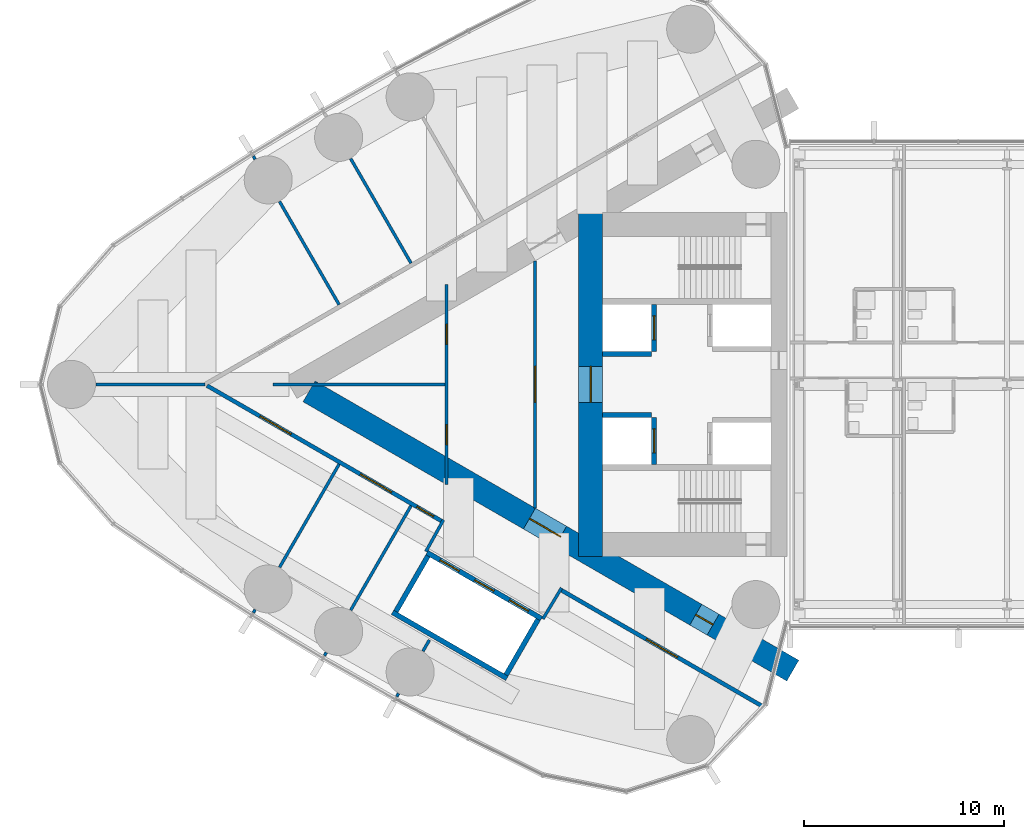
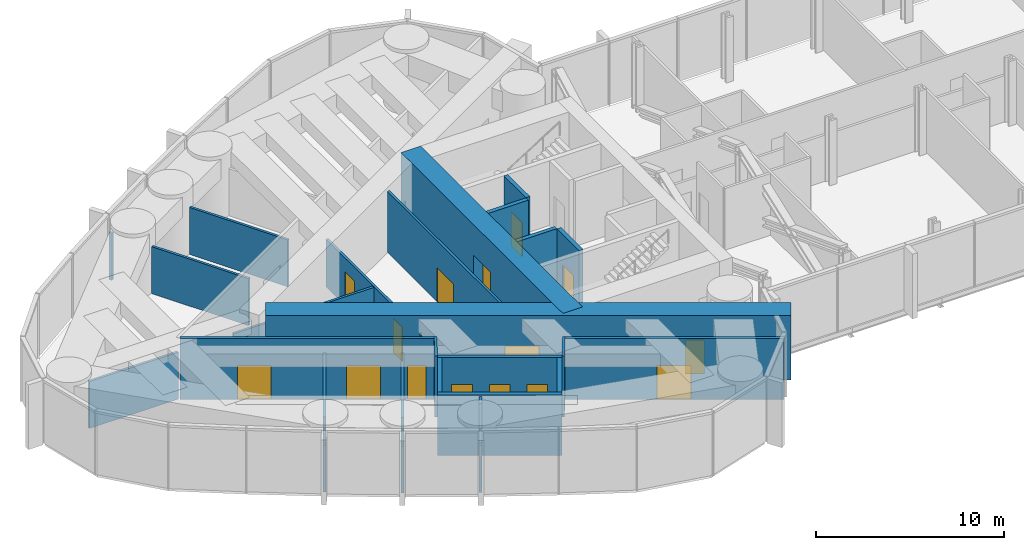
# One storey, part 15 of 23: 27 walls, 15 doors, 15 openings.
"""IFC4 building model written with IfcOpenShell, lengths in metres."""

import ifcopenshell
import ifcopenshell.guid

model = None  # the IFC model being written
_history = None  # IfcOwnerHistory: only IFC2X3 demands one
_inside = {}  # id of a spatial element -> (the spatial element, [elements in it])
_under = {}  # id of a project, library or spatial element -> (it, [spatial elements below it])
_declared = {}  # id of a project -> (the project, [libraries it declares])
_typed = {}  # id of a type object -> (the type object, [elements of that type])
_made_of = {}  # id of a material, layer set ... -> (it, [elements and type objects made of it])


def new_model(schema):
    """Start an empty IFC model of exactly this schema.

    Asked for "IFC4X3", IfcOpenShell would pick the latest addendum, in which some entities
    have other attributes; the version numbers below select the first issue.
    IFC2X3 requires an IfcOwnerHistory on every rooted entity: one is made here for all.
    """
    global model, _history
    if schema == "IFC4X3":
        model = ifcopenshell.file(schema_version=(4, 3, 0, 0))
    else:
        model = ifcopenshell.file(schema=schema)
    _inside.clear()
    _under.clear()
    _declared.clear()
    _typed.clear()
    _made_of.clear()
    _history = None
    if model.schema == "IFC2X3":
        org = make("IfcOrganization", Name="unknown")
        user = make(
            "IfcPersonAndOrganization",
            ThePerson=make("IfcPerson", FamilyName="unknown"),
            TheOrganization=org,
        )
        app = make(
            "IfcApplication",
            ApplicationDeveloper=org,
            Version="unknown",
            ApplicationFullName="unknown",
            ApplicationIdentifier="unknown",
        )
        _history = make(
            "IfcOwnerHistory",
            OwningUser=user,
            OwningApplication=app,
            ChangeAction="ADDED",
            CreationDate=0,
        )
    return model


def make(cls, **values):
    """One entity of the class cls with the attributes given. An attribute that is None is left unset."""
    return model.create_entity(
        cls, **{name: value for name, value in values.items() if value is not None}
    )


def rooted(cls, **values):
    """An entity with a GlobalId (a new one), such as an element, a storey or a relation."""
    return make(cls, GlobalId=ifcopenshell.guid.new(), OwnerHistory=_history, **values)


def si_unit(unit_type, name, prefix=None):
    """IfcSIUnit, for example si_unit("LENGTHUNIT", "METRE", prefix="MILLI")."""
    return make("IfcSIUnit", UnitType=unit_type, Prefix=prefix, Name=name)


def assignment(units):
    """IfcUnitAssignment: the units of a project."""
    return None if units is None else make("IfcUnitAssignment", Units=units)


def point(xyz):
    """IfcCartesianPoint."""
    return None if xyz is None else make("IfcCartesianPoint", Coordinates=xyz)


def direction(xyz):
    """IfcDirection."""
    return None if xyz is None else make("IfcDirection", DirectionRatios=xyz)


def frame(location, z_axis=None, x_axis=None):
    """IfcAxis2Placement3D, a coordinate frame: its origin and axes. An axis left out is left unset."""
    return make(
        "IfcAxis2Placement3D",
        Location=point(location),
        Axis=direction(z_axis),
        RefDirection=direction(x_axis),
    )


def frame_2d(location, x_axis=None):
    """IfcAxis2Placement2D, a coordinate frame in the plane: its origin and x axis."""
    return make(
        "IfcAxis2Placement2D", Location=point(location), RefDirection=direction(x_axis)
    )


def origin():
    """The frame at (0, 0, 0) with its axes left unset."""
    return frame((0.0, 0.0, 0.0))


def place(relative_to, where):
    """IfcLocalPlacement: puts the frame where relative to a parent placement (None: the world)."""
    return make(
        "IfcLocalPlacement", PlacementRelTo=relative_to, RelativePlacement=where
    )


def context(
    kind, dimensions, precision=None, world=None, true_north=None, identifier=None
):
    """IfcGeometricRepresentationContext, for example the 3D "Model" context."""
    return make(
        "IfcGeometricRepresentationContext",
        ContextIdentifier=identifier,
        ContextType=kind,
        CoordinateSpaceDimension=dimensions,
        Precision=precision,
        WorldCoordinateSystem=world,
        TrueNorth=true_north,
    )


def subcontext(parent, identifier, kind, view, scale=None):
    """IfcGeometricRepresentationSubContext, for example "Body" below "Model"."""
    return make(
        "IfcGeometricRepresentationSubContext",
        ContextIdentifier=identifier,
        ContextType=kind,
        ParentContext=parent,
        TargetScale=scale,
        TargetView=view,
    )


def project(units=None, contexts=None):
    """IfcProject with its units and contexts."""
    return rooted(
        "IfcProject",
        Name="project",
        RepresentationContexts=contexts,
        UnitsInContext=assignment(units),
    )


def spatial(cls, under=None, at=None, **own):
    """A site, building, storey or space (cls), placed at a placement, below another one or the project."""
    s = rooted(cls, ObjectPlacement=at, **own)
    if under is not None:
        _under.setdefault(under.id(), (under, []))[1].append(s)
    return s


def profile(cls, at=None, kind="AREA", **sizes):
    """A parametric profile (cls). Its sizes go by their IFC names, for example OverallWidth=200.0."""
    return make(cls, ProfileType=kind, Position=at, **sizes)


def rectangle(**sizes):
    """IfcRectangleProfileDef."""
    return profile("IfcRectangleProfileDef", **sizes)


def extrude(swept, where, along, depth):
    """IfcExtrudedAreaSolid: the profile swept, set in the frame where, extruded along a direction by depth."""
    return make(
        "IfcExtrudedAreaSolid",
        SweptArea=swept,
        Position=where,
        ExtrudedDirection=direction(along),
        Depth=depth,
    )


def shape(context_of_items, identifier, shape_type, items):
    """IfcShapeRepresentation: the items that make up one representation, for example the "Body"."""
    return make(
        "IfcShapeRepresentation",
        ContextOfItems=context_of_items,
        RepresentationIdentifier=identifier,
        RepresentationType=shape_type,
        Items=items,
    )


def material(Name=None, Category=None):
    """IfcMaterial."""
    return make("IfcMaterial", Name=Name, Category=Category)


def layer(
    of_material, thickness, ventilated=None, Name=None, Category=None, Priority=None
):
    """IfcMaterialLayer: one layer of a wall or slab, of a material (None: an air gap)."""
    return make(
        "IfcMaterialLayer",
        Material=of_material,
        LayerThickness=thickness,
        IsVentilated=ventilated,
        Name=Name,
        Category=Category,
        Priority=Priority,
    )


def layer_set(layers, Name=None):
    """IfcMaterialLayerSet."""
    return make("IfcMaterialLayerSet", MaterialLayers=layers, LayerSetName=Name)


def made_of(thing, what):
    """Note that an element or type object is made of a material, layer set ...; save() writes the relation."""
    if what is not None:
        _made_of.setdefault(what.id(), (what, []))[1].append(thing)
    return thing


def type_object(cls, material=None, **own):
    """A type object (cls), such as IfcWallType, which elements share."""
    return made_of(rooted(cls, **own), material)


def element(
    cls,
    number,
    at=None,
    inside=None,
    cuts=None,
    type_object=None,
    material=None,
    context=None,
    identifier="Body",
    shape_type=None,
    held_by="IfcProductDefinitionShape",
    body=None,
    shapes=None,
    **own,
):
    """One element of the class cls, such as IfcWall. Its Tag is "e" and its number.

    at: its placement. inside: the storey or other place that contains it. cuts: it is an
    opening in that element (IfcRelVoidsElement). A single representation is given by context,
    identifier, shape_type and body (its items); several are given by shapes. held_by: the class
    of the entity that holds the representations. save() writes the other relations.
    """
    e = rooted(cls, Tag="e%d" % number, ObjectPlacement=at, **own)
    if body is not None:
        shapes = [shape(context, identifier, shape_type, body)]
    if shapes is not None:
        e.Representation = make(held_by, Representations=shapes)
    if inside is not None:
        _inside.setdefault(inside.id(), (inside, []))[1].append(e)
    if cuts is not None:
        rooted(
            "IfcRelVoidsElement", RelatingBuildingElement=cuts, RelatedOpeningElement=e
        )
    if type_object is not None:
        _typed.setdefault(type_object.id(), (type_object, []))[1].append(e)
    return made_of(e, material)


def fill(opening, filler):
    """IfcRelFillsElement: the door or window that sits in an opening."""
    return rooted(
        "IfcRelFillsElement",
        RelatingOpeningElement=opening,
        RelatedBuildingElement=filler,
    )


def aggregate(whole, parts):
    """IfcRelAggregates: a whole, such as a stair, and the parts it consists of."""
    return rooted("IfcRelAggregates", RelatingObject=whole, RelatedObjects=parts)


def save(model, path):
    """Write the relations noted so far, then the file.

    IfcRelAggregates (storeys below a building ...), IfcRelContainedInSpatialStructure (elements
    in a storey), IfcRelDefinesByType, IfcRelAssociatesMaterial and IfcRelDeclares: one each for
    every whole, place, type object, material and project.
    """
    for whole, parts in _under.values():
        aggregate(whole, parts)
    for where, things in _inside.values():
        rooted(
            "IfcRelContainedInSpatialStructure",
            RelatedElements=things,
            RelatingStructure=where,
        )
    for kind, things in _typed.values():
        rooted("IfcRelDefinesByType", RelatedObjects=things, RelatingType=kind)
    for what, things in _made_of.values():
        rooted("IfcRelAssociatesMaterial", RelatedObjects=things, RelatingMaterial=what)
    for by, libraries in _declared.values():
        rooted("IfcRelDeclares", RelatingContext=by, RelatedDefinitions=libraries)
    model.write(path)


model = new_model("IFC4")

# Units and contexts
model_context = context("Model", 3, precision=1e-05, world=origin(), true_north=direction((0.0, 1.0)))
body_context = subcontext(model_context, "Body", "Model", "MODEL_VIEW")
ifc_project = project(units=[si_unit("LENGTHUNIT", "METRE"), si_unit("AREAUNIT", "SQUARE_METRE"), si_unit("VOLUMEUNIT", "CUBIC_METRE"), si_unit("PLANEANGLEUNIT", "RADIAN"), si_unit("MASSUNIT", "GRAM", prefix="KILO")], contexts=[model_context])

# Site, building, storey
site_placement = place(None, origin())
site = spatial("IfcSite", under=ifc_project, at=site_placement, CompositionType="ELEMENT")
building_placement = place(site_placement, origin())
building = spatial("IfcBuilding", under=site, at=building_placement, Name="Lancet Gate Hotel", CompositionType="ELEMENT")
storey_placement = place(building_placement, frame((0.0, 0.0, 247.699951171875)))
storey = spatial("IfcBuildingStorey", under=building, at=storey_placement, Name="L66", CompositionType="ELEMENT", Elevation=247.699951171875)

# Wall, openings, doors
ifc_material_1 = material(Name="Concrete C70/85", Category="concrete")
ifc_layer_1 = layer(ifc_material_1, 1.199951171875)
ifc_layer_set_1 = layer_set([ifc_layer_1], Name="Buttress wall 1200")
wall_type_1 = type_object("IfcWallType", Name="Buttress wall 1200", PredefinedType="SHEAR", material=ifc_layer_set_1)
wall_1_placement = place(storey_placement, frame((-27.199951171875, -14.300048828125, 0.0), z_axis=(0.0, 0.0, 1.0), x_axis=(-0.866024021859, 0.500002393557, 0.0)))
wall_1 = element("IfcWall", 1, at=wall_1_placement, inside=storey, type_object=wall_type_1, Name="T1 buttress wall N L66", PredefinedType="SHEAR", context=body_context, shape_type="SweptSolid", body=[
    extrude(rectangle(XDim=27.906982421875, YDim=1.199951171875, at=frame_2d((13.95361328125, 0.0))), origin(), (0.0, 0.0, 1.0), 4.199951171875),
])
opening_1_placement = place(wall_1_placement, frame((4.60009765625, 0.0, 0.0)))
opening_1 = element("IfcOpeningElement", 2, at=opening_1_placement, cuts=wall_1, Name="Opening T1-L66-LN", PredefinedType="OPENING", context=body_context, shape_type="SweptSolid", body=[
    extrude(rectangle(XDim=1.0, YDim=2.199951171875, at=frame_2d((0.5, 1.10009765625))), frame((0.0, 0.60986328125, 0.0), z_axis=(0.0, -1.0, 0.0), x_axis=(1.0, 0.0, 0.0)), (0.0, 0.0, 1.0), 1.219970703125),
])
opening_2_placement = place(wall_1_placement, frame((13.39453125, 0.0, 0.0)))
opening_2 = element("IfcOpeningElement", 3, at=opening_2_placement, cuts=wall_1, Name="Opening T1-L66-LHN", PredefinedType="OPENING", context=body_context, shape_type="SweptSolid", body=[
    extrude(rectangle(XDim=1.800048828125, YDim=2.199951171875, at=frame_2d((0.89990234375, 1.10009765625))), frame((0.0, 0.60986328125, 0.0), z_axis=(0.0, -1.0, 0.0), x_axis=(1.0, 0.0, 0.0)), (0.0, 0.0, 1.0), 1.219970703125),
])
ifc_material_2 = material(Name="Timber door set", Category="wood")
door_type_1 = type_object("IfcDoorType", Name="Lobby double door 1800", OperationType="DOUBLE_DOOR_SINGLE_SWING", PredefinedType="DOOR", material=ifc_material_2)
door_1_placement = place(opening_2_placement, origin())
door_1 = element("IfcDoor", 4, at=door_1_placement, inside=storey, type_object=door_type_1, Name="T1-L66-LHN", OperationType="DOUBLE_DOOR_SINGLE_SWING", OverallHeight=2.199951171875, OverallWidth=1.800048828125, PredefinedType="DOOR", context=body_context, shape_type="SweptSolid", body=[
    extrude(rectangle(XDim=1.800048828125, YDim=2.199951171875, at=frame_2d((0.89990234375, 1.10009765625))), frame((0.0, 0.02490234375, 0.0), z_axis=(0.0, -1.0, 0.0), x_axis=(1.0, 0.0, 0.0)), (0.0, 0.0, 1.0), 0.050048828125),
])
fill(opening_2, door_1)
ifc_material_3 = material(Name="Timber door set", Category="wood")
door_type_2 = type_object("IfcDoorType", Name="Stair lobby door 1000", OperationType="SINGLE_SWING_LEFT", PredefinedType="DOOR", material=ifc_material_3)
door_2_placement = place(opening_1_placement, origin())
door_2 = element("IfcDoor", 5, at=door_2_placement, inside=storey, type_object=door_type_2, Name="T1-L66-LN", OperationType="SINGLE_SWING_LEFT", OverallHeight=2.199951171875, OverallWidth=1.0, PredefinedType="DOOR", context=body_context, shape_type="SweptSolid", body=[
    extrude(rectangle(XDim=1.0, YDim=2.199951171875, at=frame_2d((0.5, 1.10009765625))), frame((0.0, 0.02490234375, 0.0), z_axis=(0.0, -1.0, 0.0), x_axis=(1.0, 0.0, 0.0)), (0.0, 0.0, 1.0), 0.050048828125),
])
fill(opening_1, door_2)

# Wall, opening, door
ifc_material_4 = material(Name="Concrete C70/85", Category="concrete")
ifc_layer_2 = layer(ifc_material_4, 1.199951171875)
ifc_layer_set_2 = layer_set([ifc_layer_2], Name="Core wall 1200")
wall_type_2 = type_object("IfcWallType", Name="Core wall 1200", PredefinedType="SHEAR", material=ifc_layer_set_2)
wall_2_placement = place(storey_placement, frame((-37.300048828125, 8.60009765625, 0.0), z_axis=(0.0, 0.0, 1.0), x_axis=(0.0, -1.0, 0.0)))
wall_2 = element("IfcWall", 6, at=wall_2_placement, inside=storey, type_object=wall_type_2, Name="T1 core wall back L66", PredefinedType="SHEAR", context=body_context, shape_type="SweptSolid", body=[
    extrude(rectangle(XDim=17.2001953125, YDim=1.199951171875, at=frame_2d((8.60009765625, 0.0))), origin(), (0.0, 0.0, 1.0), 4.199951171875),
])
opening_3_placement = place(wall_2_placement, frame((7.699951171875, 0.0, 0.0)))
opening_3 = element("IfcOpeningElement", 7, at=opening_3_placement, cuts=wall_2, Name="Opening T1-L66-LL", PredefinedType="OPENING", context=body_context, shape_type="SweptSolid", body=[
    extrude(rectangle(XDim=1.800048828125, YDim=2.199951171875, at=frame_2d((0.89990234375, 1.10009765625))), frame((0.0, 0.60986328125, 0.0), z_axis=(0.0, -1.0, 0.0), x_axis=(1.0, 0.0, 0.0)), (0.0, 0.0, 1.0), 1.219970703125),
])
door_3_placement = place(opening_3_placement, origin())
door_3 = element("IfcDoor", 8, at=door_3_placement, inside=storey, type_object=door_type_1, Name="T1-L66-LL", OperationType="DOUBLE_DOOR_SINGLE_SWING", OverallHeight=2.199951171875, OverallWidth=1.800048828125, PredefinedType="DOOR", context=body_context, shape_type="SweptSolid", body=[
    extrude(rectangle(XDim=1.800048828125, YDim=2.199951171875, at=frame_2d((0.89990234375, 1.10009765625))), frame((0.0, 0.02490234375, 0.0), z_axis=(0.0, -1.0, 0.0), x_axis=(1.0, 0.0, 0.0)), (0.0, 0.0, 1.0), 0.050048828125),
])
fill(opening_3, door_3)

ifc_material_5 = material(Name="Gypsum board partition")
ifc_layer_3 = layer(ifc_material_5, 0.199951171875)
ifc_layer_set_3 = layer_set([ifc_layer_3], Name="Corridor wall 200")
wall_type_3 = type_object("IfcWallType", Name="Corridor wall 200", PredefinedType="PARTITIONING", material=ifc_layer_set_3)
wall_3_placement = place(storey_placement, frame((-28.681396484375, -16.1005859375, 0.0), z_axis=(0.0, 0.0, 1.0), x_axis=(-0.866026079773, 0.499998829152, 0.0)))
wall_3 = element("IfcWall", 9, at=wall_3_placement, inside=storey, type_object=wall_type_3, Name="T1 corridor wall 200 L66", PredefinedType="PARTITIONING", context=body_context, shape_type="SweptSolid", body=[
    extrude(rectangle(XDim=11.673828125, YDim=0.199951171875, at=frame_2d((5.8369140625, 0.0))), origin(), (0.0, 0.0, 1.0), 3.949951171875),
])
opening_4_placement = place(wall_3_placement, frame((4.93701171875, 0.0, 0.0)))
opening_4 = element("IfcOpeningElement", 10, at=opening_4_placement, cuts=wall_3, Name="Opening T1-L66-DK08", PredefinedType="OPENING", context=body_context, shape_type="SweptSolid", body=[
    extrude(rectangle(XDim=1.800048828125, YDim=2.199951171875, at=frame_2d((0.89990234375, 1.10009765625))), frame((0.0, 0.10986328125, 0.0), z_axis=(0.0, -1.0, 0.0), x_axis=(1.0, 0.0, 0.0)), (0.0, 0.0, 1.0), 0.219970703125),
])
ifc_material_6 = material(Name="Timber door set", Category="wood")
door_type_3 = type_object("IfcDoorType", Name="Double door 1800", OperationType="DOUBLE_DOOR_SINGLE_SWING", PredefinedType="DOOR", material=ifc_material_6)
door_4_placement = place(opening_4_placement, origin())
door_4 = element("IfcDoor", 11, at=door_4_placement, inside=storey, type_object=door_type_3, Name="T1-L66-DK08", OperationType="DOUBLE_DOOR_SINGLE_SWING", OverallHeight=2.199951171875, OverallWidth=1.800048828125, PredefinedType="DOOR", context=body_context, shape_type="SweptSolid", body=[
    extrude(rectangle(XDim=1.800048828125, YDim=2.199951171875, at=frame_2d((0.89990234375, 1.10009765625))), frame((0.0, 0.02490234375, 0.0), z_axis=(0.0, -1.0, 0.0), x_axis=(1.0, 0.0, 0.0)), (0.0, 0.0, 1.0), 0.050048828125),
])
fill(opening_4, door_4)

# Wall, openings, doors
wall_4_placement = place(storey_placement, frame((-44.715087890625, -6.843505859375, 0.0), z_axis=(0.0, 0.0, 1.0), x_axis=(-0.866025261224, 0.500000246922, 0.0)))
wall_4 = element("IfcWall", 12, at=wall_4_placement, inside=storey, type_object=wall_type_3, Name="T1 corridor wall 200 L66", PredefinedType="PARTITIONING", context=body_context, shape_type="SweptSolid", body=[
    extrude(rectangle(XDim=13.56689453125, YDim=0.199951171875, at=frame_2d((6.783447265625, 0.0))), origin(), (0.0, 0.0, 1.0), 3.949951171875),
])
opening_5_placement = place(wall_4_placement, frame((8.71630859375, 0.0, 0.0)))
opening_5 = element("IfcOpeningElement", 13, at=opening_5_placement, cuts=wall_4, Name="Opening T1-L66-DK05", PredefinedType="OPENING", context=body_context, shape_type="SweptSolid", body=[
    extrude(rectangle(XDim=1.800048828125, YDim=2.199951171875, at=frame_2d((0.89990234375, 1.10009765625))), frame((0.0, 0.10986328125, 0.0), z_axis=(0.0, -1.0, 0.0), x_axis=(1.0, 0.0, 0.0)), (0.0, 0.0, 1.0), 0.219970703125),
])
opening_6_placement = place(wall_4_placement, frame((2.916259765625, 0.0, 0.0)))
opening_6 = element("IfcOpeningElement", 14, at=opening_6_placement, cuts=wall_4, Name="Opening T1-L66-DK06", PredefinedType="OPENING", context=body_context, shape_type="SweptSolid", body=[
    extrude(rectangle(XDim=1.800048828125, YDim=2.199951171875, at=frame_2d((0.89990234375, 1.10009765625))), frame((0.0, 0.10986328125, 0.0), z_axis=(0.0, -1.0, 0.0), x_axis=(1.0, 0.0, 0.0)), (0.0, 0.0, 1.0), 0.219970703125),
])
opening_7_placement = place(wall_4_placement, frame((0.5, 0.0, 0.0)))
opening_7 = element("IfcOpeningElement", 15, at=opening_7_placement, cuts=wall_4, Name="Opening T1-L66-DK07", PredefinedType="OPENING", context=body_context, shape_type="SweptSolid", body=[
    extrude(rectangle(XDim=0.967041015625, YDim=2.199951171875, at=frame_2d((0.4833984375, 1.10009765625))), frame((0.0, 0.10986328125, 0.0), z_axis=(0.0, -1.0, 0.0), x_axis=(1.0, 0.0, 0.0)), (0.0, 0.0, 1.0), 0.219970703125),
])
door_5_placement = place(opening_5_placement, origin())
door_5 = element("IfcDoor", 16, at=door_5_placement, inside=storey, type_object=door_type_3, Name="T1-L66-DK05", OperationType="DOUBLE_DOOR_SINGLE_SWING", OverallHeight=2.199951171875, OverallWidth=1.800048828125, PredefinedType="DOOR", context=body_context, shape_type="SweptSolid", body=[
    extrude(rectangle(XDim=1.800048828125, YDim=2.199951171875, at=frame_2d((0.89990234375, 1.10009765625))), frame((0.0, 0.02490234375, 0.0), z_axis=(0.0, -1.0, 0.0), x_axis=(1.0, 0.0, 0.0)), (0.0, 0.0, 1.0), 0.050048828125),
])
fill(opening_5, door_5)
door_6_placement = place(opening_6_placement, origin())
door_6 = element("IfcDoor", 17, at=door_6_placement, inside=storey, type_object=door_type_3, Name="T1-L66-DK06", OperationType="DOUBLE_DOOR_SINGLE_SWING", OverallHeight=2.199951171875, OverallWidth=1.800048828125, PredefinedType="DOOR", context=body_context, shape_type="SweptSolid", body=[
    extrude(rectangle(XDim=1.800048828125, YDim=2.199951171875, at=frame_2d((0.89990234375, 1.10009765625))), frame((0.0, 0.02490234375, 0.0), z_axis=(0.0, -1.0, 0.0), x_axis=(1.0, 0.0, 0.0)), (0.0, 0.0, 1.0), 0.050048828125),
])
fill(opening_6, door_6)
ifc_material_7 = material(Name="Timber door set", Category="wood")
door_type_4 = type_object("IfcDoorType", Name="Guest room entry door 950", OperationType="SINGLE_SWING_LEFT", PredefinedType="DOOR", material=ifc_material_7)
door_7_placement = place(opening_7_placement, origin())
door_7 = element("IfcDoor", 18, at=door_7_placement, inside=storey, type_object=door_type_4, Name="T1-L66-DK07", OperationType="SINGLE_SWING_LEFT", OverallHeight=2.199951171875, OverallWidth=0.967041015625, PredefinedType="DOOR", context=body_context, shape_type="SweptSolid", body=[
    extrude(rectangle(XDim=0.967041015625, YDim=2.199951171875, at=frame_2d((0.4833984375, 1.10009765625))), frame((0.0, 0.02490234375, 0.0), z_axis=(0.0, -1.0, 0.0), x_axis=(1.0, 0.0, 0.0)), (0.0, 0.0, 1.0), 0.050048828125),
])
fill(opening_7, door_7)

ifc_material_8 = material(Name="Gypsum board partition")
ifc_layer_4 = layer(ifc_material_8, 0.25)
ifc_layer_set_4 = layer_set([ifc_layer_4], Name="Lift shaft partition 250")
wall_type_4 = type_object("IfcWallType", Name="Lift shaft partition 250", PredefinedType="PARTITIONING", material=ifc_layer_set_4)
wall_5_placement = place(storey_placement, frame((-39.757568359375, -11.697265625, 0.0), z_axis=(0.0, 0.0, 1.0), x_axis=(-0.866024194504, 0.500002094529, 0.0)))
wall_5 = element("IfcWall", 19, at=wall_5_placement, inside=storey, type_object=wall_type_4, Name="T1 lift shaft wall HL L66", PredefinedType="PARTITIONING", context=body_context, shape_type="SweptSolid", body=[
    extrude(rectangle(XDim=6.60009765625, YDim=0.25, at=frame_2d((3.300048828125, 0.0))), origin(), (0.0, 0.0, 1.0), 3.949951171875),
])
opening_8_placement = place(wall_5_placement, frame((0.75, 0.0, 0.0)))
opening_8 = element("IfcOpeningElement", 20, at=opening_8_placement, cuts=wall_5, Name="Opening T1-HL1-L66", PredefinedType="OPENING", context=body_context, shape_type="SweptSolid", body=[
    extrude(rectangle(XDim=1.10009765625, YDim=2.199951171875, at=frame_2d((0.550048828125, 1.10009765625))), frame((0.0, 0.135009765625, 0.0), z_axis=(0.0, -1.0, 0.0), x_axis=(1.0, 0.0, 0.0)), (0.0, 0.0, 1.0), 0.27001953125),
])
opening_9_placement = place(wall_5_placement, frame((2.75, 0.0, 0.0)))
opening_9 = element("IfcOpeningElement", 21, at=opening_9_placement, cuts=wall_5, Name="Opening T1-HL2-L66", PredefinedType="OPENING", context=body_context, shape_type="SweptSolid", body=[
    extrude(rectangle(XDim=1.10009765625, YDim=2.199951171875, at=frame_2d((0.550048828125, 1.10009765625))), frame((0.0, 0.135009765625, 0.0), z_axis=(0.0, -1.0, 0.0), x_axis=(1.0, 0.0, 0.0)), (0.0, 0.0, 1.0), 0.27001953125),
])
opening_10_placement = place(wall_5_placement, frame((4.75, 0.0, 0.0)))
opening_10 = element("IfcOpeningElement", 22, at=opening_10_placement, cuts=wall_5, Name="Opening T1-HL3-L66", PredefinedType="OPENING", context=body_context, shape_type="SweptSolid", body=[
    extrude(rectangle(XDim=1.10009765625, YDim=2.199951171875, at=frame_2d((0.550048828125, 1.10009765625))), frame((0.0, 0.135009765625, 0.0), z_axis=(0.0, -1.0, 0.0), x_axis=(1.0, 0.0, 0.0)), (0.0, 0.0, 1.0), 0.27001953125),
])
ifc_material_9 = material(Name="Steel door set", Category="steel")
door_type_5 = type_object("IfcDoorType", Name="Lift landing door 1100", OperationType="DOUBLE_DOOR_SLIDING", PredefinedType="USERDEFINED", material=ifc_material_9)
door_8_placement = place(opening_8_placement, origin())
door_8 = element("IfcDoor", 23, at=door_8_placement, inside=storey, type_object=door_type_5, Name="T1-HL1-L66", ObjectType="LIFT LANDING DOOR", OperationType="DOUBLE_DOOR_SLIDING", OverallHeight=2.199951171875, OverallWidth=1.10009765625, PredefinedType="USERDEFINED", context=body_context, shape_type="SweptSolid", body=[
    extrude(rectangle(XDim=1.10009765625, YDim=2.199951171875, at=frame_2d((0.550048828125, 1.10009765625))), frame((0.0, 0.02490234375, 0.0), z_axis=(0.0, -1.0, 0.0), x_axis=(1.0, 0.0, 0.0)), (0.0, 0.0, 1.0), 0.050048828125),
])
fill(opening_8, door_8)
door_9_placement = place(opening_9_placement, origin())
door_9 = element("IfcDoor", 24, at=door_9_placement, inside=storey, type_object=door_type_5, Name="T1-HL2-L66", ObjectType="LIFT LANDING DOOR", OperationType="DOUBLE_DOOR_SLIDING", OverallHeight=2.199951171875, OverallWidth=1.10009765625, PredefinedType="USERDEFINED", context=body_context, shape_type="SweptSolid", body=[
    extrude(rectangle(XDim=1.10009765625, YDim=2.199951171875, at=frame_2d((0.550048828125, 1.10009765625))), frame((0.0, 0.02490234375, 0.0), z_axis=(0.0, -1.0, 0.0), x_axis=(1.0, 0.0, 0.0)), (0.0, 0.0, 1.0), 0.050048828125),
])
fill(opening_9, door_9)
door_10_placement = place(opening_10_placement, origin())
door_10 = element("IfcDoor", 25, at=door_10_placement, inside=storey, type_object=door_type_5, Name="T1-HL3-L66", ObjectType="LIFT LANDING DOOR", OperationType="DOUBLE_DOOR_SLIDING", OverallHeight=2.199951171875, OverallWidth=1.10009765625, PredefinedType="USERDEFINED", context=body_context, shape_type="SweptSolid", body=[
    extrude(rectangle(XDim=1.10009765625, YDim=2.199951171875, at=frame_2d((0.550048828125, 1.10009765625))), frame((0.0, 0.02490234375, 0.0), z_axis=(0.0, -1.0, 0.0), x_axis=(1.0, 0.0, 0.0)), (0.0, 0.0, 1.0), 0.050048828125),
])
fill(opening_10, door_10)

# Walls
wall_6_placement = place(storey_placement, frame((-41.482421875, -14.685791015625, 0.0), z_axis=(0.0, 0.0, 1.0), x_axis=(-0.86603344179, 0.499986077507, 0.0)))
element("IfcWall", 26, at=wall_6_placement, inside=storey, type_object=wall_type_4, Name="T1 lift shaft wall HL L66", PredefinedType="PARTITIONING", context=body_context, shape_type="SweptSolid", body=[
    extrude(rectangle(XDim=6.600341796875, YDim=0.25, at=frame_2d((3.30029296875, 0.0))), origin(), (0.0, 0.0, 1.0), 3.949951171875),
])
for number, where, z_axis, x_axis, name in (
    (27, (-39.92822265625, -11.742919921875, 0.0), (0.0, 0.0, 1.0), (-0.499929347863, -0.866066190972, 0.0), "T1 lift shaft wall HL L66"),
    (28, (-45.427734375, -8.568115234375, 0.0), (0.0, 0.0, 1.0), (-0.499929347863, -0.866066190972, 0.0), "T1 lift shaft wall HL L66"),
):
    element("IfcWall", number, at=place(storey_placement, frame(where, z_axis=z_axis, x_axis=x_axis)), inside=storey, type_object=wall_type_4, Name=name, PredefinedType="PARTITIONING", context=body_context, shape_type="SweptSolid", body=[
        extrude(rectangle(XDim=3.20068359375, YDim=0.25, at=frame_2d((1.600341796875, 0.0))), origin(), (0.0, 0.0, 1.0), 3.949951171875),
    ])

# Wall, opening, door
ifc_material_10 = material(Name="Concrete C50/60", Category="concrete")
ifc_layer_5 = layer(ifc_material_10, 0.25)
ifc_layer_set_5 = layer_set([ifc_layer_5], Name="Lift shaft wall 250")
wall_type_5 = type_object("IfcWallType", Name="Lift shaft wall 250", PredefinedType="SHEAR", material=ifc_layer_set_5)
wall_7_placement = place(storey_placement, frame((-34.125, 4.0, 0.0), z_axis=(0.0, 0.0, 1.0), x_axis=(0.0, -1.0, 0.0)))
wall_7 = element("IfcWall", 29, at=wall_7_placement, inside=storey, type_object=wall_type_5, Name="T1 core wall row2-S L66", PredefinedType="SHEAR", context=body_context, shape_type="SweptSolid", body=[
    extrude(rectangle(XDim=2.35009765625, YDim=0.25, at=frame_2d((1.175048828125, 0.0))), origin(), (0.0, 0.0, 1.0), 4.199951171875),
])
opening_11_placement = place(wall_7_placement, frame((0.574951171875, 0.0, 0.0)))
opening_11 = element("IfcOpeningElement", 30, at=opening_11_placement, cuts=wall_7, Name="Opening T1-OL3-L66", PredefinedType="OPENING", context=body_context, shape_type="SweptSolid", body=[
    extrude(rectangle(XDim=1.199951171875, YDim=2.199951171875, at=frame_2d((0.60009765625, 1.10009765625))), frame((0.0, 0.135009765625, 0.0), z_axis=(0.0, -1.0, 0.0), x_axis=(1.0, 0.0, 0.0)), (0.0, 0.0, 1.0), 0.27001953125),
])
ifc_material_11 = material(Name="Timber door set", Category="wood")
door_type_6 = type_object("IfcDoorType", Name="Shuttle lift landing door 1200", OperationType="DOUBLE_DOOR_SLIDING", PredefinedType="USERDEFINED", material=ifc_material_11)
door_11_placement = place(opening_11_placement, origin())
door_11 = element("IfcDoor", 31, at=door_11_placement, inside=storey, type_object=door_type_6, Name="T1-OL3-L66", ObjectType="LIFT LANDING DOOR", OperationType="DOUBLE_DOOR_SLIDING", OverallHeight=2.199951171875, OverallWidth=1.199951171875, PredefinedType="USERDEFINED", context=body_context, shape_type="SweptSolid", body=[
    extrude(rectangle(XDim=1.199951171875, YDim=2.199951171875, at=frame_2d((0.60009765625, 1.10009765625))), frame((0.0, 0.02490234375, 0.0), z_axis=(0.0, -1.0, 0.0), x_axis=(1.0, 0.0, 0.0)), (0.0, 0.0, 1.0), 0.050048828125),
])
fill(opening_11, door_11)

# Wall
wall_8_placement = place(storey_placement, frame((-34.25, 1.52490234375, 0.0), z_axis=(0.0, 0.0, 1.0), x_axis=(-1.0, 0.0, 0.0)))
element("IfcWall", 32, at=wall_8_placement, inside=storey, type_object=wall_type_5, Name="T1 core wall pass2-S L66", PredefinedType="SHEAR", context=body_context, shape_type="SweptSolid", body=[
    extrude(rectangle(XDim=2.449951171875, YDim=0.25, at=frame_2d((1.22509765625, 0.0))), origin(), (0.0, 0.0, 1.0), 4.199951171875),
])

# Wall, opening, door
wall_9_placement = place(storey_placement, frame((-34.125, -1.64990234375, 0.0), z_axis=(0.0, 0.0, 1.0), x_axis=(0.0, -1.0, 0.0)))
wall_9 = element("IfcWall", 33, at=wall_9_placement, inside=storey, type_object=wall_type_5, Name="T1 core wall row2-N L66", PredefinedType="SHEAR", context=body_context, shape_type="SweptSolid", body=[
    extrude(rectangle(XDim=2.35009765625, YDim=0.25, at=frame_2d((1.175048828125, 0.0))), origin(), (0.0, 0.0, 1.0), 4.199951171875),
])
opening_12_placement = place(wall_9_placement, frame((0.574951171875, 0.0, 0.0)))
opening_12 = element("IfcOpeningElement", 34, at=opening_12_placement, cuts=wall_9, Name="Opening T1-OL4-L66", PredefinedType="OPENING", context=body_context, shape_type="SweptSolid", body=[
    extrude(rectangle(XDim=1.199951171875, YDim=2.199951171875, at=frame_2d((0.60009765625, 1.10009765625))), frame((0.0, 0.135009765625, 0.0), z_axis=(0.0, -1.0, 0.0), x_axis=(1.0, 0.0, 0.0)), (0.0, 0.0, 1.0), 0.27001953125),
])
door_12_placement = place(opening_12_placement, origin())
door_12 = element("IfcDoor", 35, at=door_12_placement, inside=storey, type_object=door_type_6, Name="T1-OL4-L66", ObjectType="LIFT LANDING DOOR", OperationType="DOUBLE_DOOR_SLIDING", OverallHeight=2.199951171875, OverallWidth=1.199951171875, PredefinedType="USERDEFINED", context=body_context, shape_type="SweptSolid", body=[
    extrude(rectangle(XDim=1.199951171875, YDim=2.199951171875, at=frame_2d((0.60009765625, 1.10009765625))), frame((0.0, 0.02490234375, 0.0), z_axis=(0.0, -1.0, 0.0), x_axis=(1.0, 0.0, 0.0)), (0.0, 0.0, 1.0), 0.050048828125),
])
fill(opening_12, door_12)

# Walls
wall_10_placement = place(storey_placement, frame((-34.25, -1.52490234375, 0.0), z_axis=(0.0, 0.0, 1.0), x_axis=(-1.0, 0.0, 0.0)))
element("IfcWall", 36, at=wall_10_placement, inside=storey, type_object=wall_type_5, Name="T1 core wall pass2-N L66", PredefinedType="SHEAR", context=body_context, shape_type="SweptSolid", body=[
    extrude(rectangle(XDim=2.449951171875, YDim=0.25, at=frame_2d((1.22509765625, 0.0))), origin(), (0.0, 0.0, 1.0), 4.199951171875),
])
ifc_material_12 = material(Name="Gypsum board partition")
ifc_layer_6 = layer(ifc_material_12, 0.14990234375)
ifc_layer_set_6 = layer_set([ifc_layer_6], Name="Party wall 150")
wall_type_6 = type_object("IfcWallType", Name="Party wall 150", PredefinedType="PARTITIONING", material=ifc_layer_set_6)
wall_11_placement = place(storey_placement, frame((-46.273681640625, 6.05908203125, 0.0), z_axis=(0.0, 0.0, 1.0), x_axis=(-0.500020471368, 0.866013584312, 0.0)))
element("IfcWall", 37, at=wall_11_placement, inside=storey, type_object=wall_type_6, Name="T1 party wall 150 L66", PredefinedType="PARTITIONING", context=body_context, shape_type="SweptSolid", body=[
    extrude(rectangle(XDim=6.027587890625, YDim=0.14990234375, at=frame_2d((3.013671875, 0.0))), origin(), (0.0, 0.0, 1.0), 3.050048828125),
])
wall_12_placement = place(storey_placement, frame((-49.866455078125, 3.98486328125, 0.0), z_axis=(0.0, 0.0, 1.0), x_axis=(-0.500000694566, 0.866025002776, 0.0)))
element("IfcWall", 38, at=wall_12_placement, inside=storey, type_object=wall_type_6, Name="T1 party wall 150 L66", PredefinedType="PARTITIONING", context=body_context, shape_type="SweptSolid", body=[
    extrude(rectangle(XDim=5.94970703125, YDim=0.14990234375, at=frame_2d((2.974853515625, 0.0))), origin(), (0.0, 0.0, 1.0), 3.050048828125),
])
wall_13_placement = place(storey_placement, frame((-54.061279296875, 11.25048828125, 0.0), z_axis=(0.0, 0.0, 1.0), x_axis=(-0.500391173478, 0.865799441849, 0.0)))
element("IfcWall", 39, at=wall_13_placement, inside=storey, type_object=wall_type_6, Name="T1 party wall 150 L66", PredefinedType="PARTITIONING", context=body_context, shape_type="SweptSolid", body=[
    extrude(rectangle(XDim=0.178955078125, YDim=0.14990234375, at=frame_2d((0.08935546875, 0.0))), origin(), (0.0, 0.0, 1.0), 3.050048828125),
])
wall_14_placement = place(storey_placement, frame((-46.89794921875, -15.438720703125, 0.0), z_axis=(0.0, 0.0, 1.0), x_axis=(-0.500232303069, -0.865891241997, 0.0)))
element("IfcWall", 40, at=wall_14_placement, inside=storey, type_object=wall_type_6, Name="T1 party wall 150 L66", PredefinedType="PARTITIONING", context=body_context, shape_type="SweptSolid", body=[
    extrude(rectangle(XDim=0.1796875, YDim=0.14990234375, at=frame_2d((0.08984375, 0.0))), origin(), (0.0, 0.0, 1.0), 3.050048828125),
])
wall_15_placement = place(storey_placement, frame((-46.273681640625, -6.05908203125, 0.0), z_axis=(0.0, 0.0, 1.0), x_axis=(-0.500020471368, -0.866013584312, 0.0)))
element("IfcWall", 41, at=wall_15_placement, inside=storey, type_object=wall_type_6, Name="T1 party wall 150 L66", PredefinedType="PARTITIONING", context=body_context, shape_type="SweptSolid", body=[
    extrude(rectangle(XDim=6.027587890625, YDim=0.14990234375, at=frame_2d((3.013671875, 0.0))), origin(), (0.0, 0.0, 1.0), 3.050048828125),
])
wall_16_placement = place(storey_placement, frame((-50.507568359375, -13.392333984375, 0.0), z_axis=(0.0, 0.0, 1.0), x_axis=(-0.499644091975, -0.866230789891, 0.0)))
element("IfcWall", 42, at=wall_16_placement, inside=storey, type_object=wall_type_6, Name="T1 party wall 150 L66", PredefinedType="PARTITIONING", context=body_context, shape_type="SweptSolid", body=[
    extrude(rectangle(XDim=0.179931640625, YDim=0.14990234375, at=frame_2d((0.08984375, 0.0))), origin(), (0.0, 0.0, 1.0), 3.050048828125),
])
wall_17_placement = place(storey_placement, frame((-49.866455078125, -3.98486328125, 0.0), z_axis=(0.0, 0.0, 1.0), x_axis=(-0.500000694566, -0.866025002776, 0.0)))
element("IfcWall", 43, at=wall_17_placement, inside=storey, type_object=wall_type_6, Name="T1 party wall 150 L66", PredefinedType="PARTITIONING", context=body_context, shape_type="SweptSolid", body=[
    extrude(rectangle(XDim=5.94970703125, YDim=0.14990234375, at=frame_2d((2.974853515625, 0.0))), origin(), (0.0, 0.0, 1.0), 3.050048828125),
])
wall_18_placement = place(storey_placement, frame((-54.061279296875, -11.25048828125, 0.0), z_axis=(0.0, 0.0, 1.0), x_axis=(-0.500391173478, -0.865799441849, 0.0)))
element("IfcWall", 44, at=wall_18_placement, inside=storey, type_object=wall_type_6, Name="T1 party wall 150 L66", PredefinedType="PARTITIONING", context=body_context, shape_type="SweptSolid", body=[
    extrude(rectangle(XDim=0.178955078125, YDim=0.14990234375, at=frame_2d((0.08935546875, 0.0))), origin(), (0.0, 0.0, 1.0), 3.050048828125),
])
wall_19_placement = place(storey_placement, frame((-56.568359375, 0.0, 0.0), z_axis=(0.0, 0.0, 1.0), x_axis=(-1.0, 0.0, 0.0)))
element("IfcWall", 45, at=wall_19_placement, inside=storey, type_object=wall_type_6, Name="T1 party wall 150 L66", PredefinedType="PARTITIONING", context=body_context, shape_type="SweptSolid", body=[
    extrude(rectangle(XDim=5.446044921875, YDim=0.14990234375, at=frame_2d((2.72314453125, 0.0))), origin(), (0.0, 0.0, 1.0), 3.050048828125),
])
wall_20_placement = place(storey_placement, frame((-45.355712890625, -12.767333984375, 0.0), z_axis=(0.0, 0.0, 1.0), x_axis=(-0.499886366516, -0.866091000168, 0.0)))
element("IfcWall", 46, at=wall_20_placement, inside=storey, type_object=wall_type_6, Name="T1 party wall 150 L66", PredefinedType="PARTITIONING", context=body_context, shape_type="SweptSolid", body=[
    extrude(rectangle(XDim=0.644775390625, YDim=0.14990234375, at=frame_2d((0.322265625, 0.0))), origin(), (0.0, 0.0, 1.0), 3.949951171875),
])
ifc_material_13 = material(Name="Gypsum board partition")
ifc_layer_7 = layer(ifc_material_13, 0.14990234375)
ifc_layer_set_7 = layer_set([ifc_layer_7], Name="Service room wall 150")
wall_type_7 = type_object("IfcWallType", Name="Service room wall 150", PredefinedType="PARTITIONING", material=ifc_layer_set_7)
for number, where, z_axis, x_axis, name in (
    (47, (-44.652099609375, -6.764404296875, 0.0), (0.0, 0.0, 1.0), (-0.485528096672, -0.8742210632, 0.0), "T1 service room wall 150 L66"),
    (48, (-39.6826171875, -11.717529296875, 0.0), (0.0, 0.0, 1.0), (0.514336634837, 0.857588377991, 0.0), "T1 service room wall 150 L66"),
):
    element("IfcWall", number, at=place(storey_placement, frame(where, z_axis=z_axis, x_axis=x_axis)), inside=storey, type_object=wall_type_7, Name=name, PredefinedType="PARTITIONING", context=body_context, shape_type="SweptSolid", body=[
        extrude(rectangle(XDim=1.80517578125, YDim=0.14990234375, at=frame_2d((0.902587890625, 0.0))), origin(), (0.0, 0.0, 1.0), 3.949951171875),
    ])

# Wall, opening, door
wall_21_placement = place(storey_placement, frame((-40.074951171875, 6.173828125, 0.0), z_axis=(0.0, 0.0, 1.0), x_axis=(0.0, -1.0, 0.0)))
wall_21 = element("IfcWall", 49, at=wall_21_placement, inside=storey, type_object=wall_type_7, Name="T1 service room wall 150 L66", PredefinedType="PARTITIONING", context=body_context, shape_type="SweptSolid", body=[
    extrude(rectangle(XDim=12.34765625, YDim=0.14990234375, at=frame_2d((6.173828125, 0.0))), origin(), (0.0, 0.0, 1.0), 3.949951171875),
])
opening_13_placement = place(wall_21_placement, frame((5.273681640625, 0.0, 0.0)))
opening_13 = element("IfcOpeningElement", 50, at=opening_13_placement, cuts=wall_21, Name="Opening T1-L66-LH", PredefinedType="OPENING", context=body_context, shape_type="SweptSolid", body=[
    extrude(rectangle(XDim=1.800048828125, YDim=2.199951171875, at=frame_2d((0.89990234375, 1.10009765625))), frame((0.0, 0.0849609375, 0.0), z_axis=(0.0, -1.0, 0.0), x_axis=(1.0, 0.0, 0.0)), (0.0, 0.0, 1.0), 0.169921875),
])
door_13_placement = place(opening_13_placement, origin())
door_13 = element("IfcDoor", 51, at=door_13_placement, inside=storey, type_object=door_type_1, Name="T1-L66-LH", OperationType="DOUBLE_DOOR_SINGLE_SWING", OverallHeight=2.199951171875, OverallWidth=1.800048828125, PredefinedType="DOOR", context=body_context, shape_type="SweptSolid", body=[
    extrude(rectangle(XDim=1.800048828125, YDim=2.199951171875, at=frame_2d((0.89990234375, 1.10009765625))), frame((0.0, 0.02490234375, 0.0), z_axis=(0.0, -1.0, 0.0), x_axis=(1.0, 0.0, 0.0)), (0.0, 0.0, 1.0), 0.050048828125),
])
fill(opening_13, door_13)

# Wall, openings, doors
wall_22_placement = place(storey_placement, frame((-44.5, 5.004638671875, 0.0), z_axis=(0.0, 0.0, 1.0), x_axis=(0.0, -1.0, 0.0)))
wall_22 = element("IfcWall", 52, at=wall_22_placement, inside=storey, type_object=wall_type_7, Name="T1 service room wall 150 L66", PredefinedType="PARTITIONING", context=body_context, shape_type="SweptSolid", body=[
    extrude(rectangle(XDim=10.00927734375, YDim=0.14990234375, at=frame_2d((5.004638671875, 0.0))), origin(), (0.0, 0.0, 1.0), 3.10009765625),
])
opening_14_placement = place(wall_22_placement, frame((2.002197265625, 0.0, 0.0)))
opening_14 = element("IfcOpeningElement", 53, at=opening_14_placement, cuts=wall_22, Name="Opening T1-L66-SV", PredefinedType="OPENING", context=body_context, shape_type="SweptSolid", body=[
    extrude(rectangle(XDim=1.0, YDim=2.199951171875, at=frame_2d((0.5, 1.10009765625))), frame((0.0, 0.0849609375, 0.0), z_axis=(0.0, -1.0, 0.0), x_axis=(1.0, 0.0, 0.0)), (0.0, 0.0, 1.0), 0.169921875),
])
opening_15_placement = place(wall_22_placement, frame((7.0068359375, 0.0, 0.0)))
opening_15 = element("IfcOpeningElement", 54, at=opening_15_placement, cuts=wall_22, Name="Opening T1-L66-SV2", PredefinedType="OPENING", context=body_context, shape_type="SweptSolid", body=[
    extrude(rectangle(XDim=1.0, YDim=2.199951171875, at=frame_2d((0.5, 1.10009765625))), frame((0.0, 0.0849609375, 0.0), z_axis=(0.0, -1.0, 0.0), x_axis=(1.0, 0.0, 0.0)), (0.0, 0.0, 1.0), 0.169921875),
])
ifc_material_14 = material(Name="Timber door set", Category="wood")
door_type_7 = type_object("IfcDoorType", Name="Service door 1000", OperationType="SINGLE_SWING_LEFT", PredefinedType="DOOR", material=ifc_material_14)
door_14_placement = place(opening_14_placement, origin())
door_14 = element("IfcDoor", 55, at=door_14_placement, inside=storey, type_object=door_type_7, Name="T1-L66-SV", OperationType="SINGLE_SWING_LEFT", OverallHeight=2.199951171875, OverallWidth=1.0, PredefinedType="DOOR", context=body_context, shape_type="SweptSolid", body=[
    extrude(rectangle(XDim=1.0, YDim=2.199951171875, at=frame_2d((0.5, 1.10009765625))), frame((0.0, 0.02490234375, 0.0), z_axis=(0.0, -1.0, 0.0), x_axis=(1.0, 0.0, 0.0)), (0.0, 0.0, 1.0), 0.050048828125),
])
fill(opening_14, door_14)
door_15_placement = place(opening_15_placement, origin())
door_15 = element("IfcDoor", 56, at=door_15_placement, inside=storey, type_object=door_type_7, Name="T1-L66-SV2", OperationType="SINGLE_SWING_LEFT", OverallHeight=2.199951171875, OverallWidth=1.0, PredefinedType="DOOR", context=body_context, shape_type="SweptSolid", body=[
    extrude(rectangle(XDim=1.0, YDim=2.199951171875, at=frame_2d((0.5, 1.10009765625))), frame((0.0, 0.02490234375, 0.0), z_axis=(0.0, -1.0, 0.0), x_axis=(1.0, 0.0, 0.0)), (0.0, 0.0, 1.0), 0.050048828125),
])
fill(opening_15, door_15)

# Wall
wall_23_placement = place(storey_placement, frame((-44.574951171875, 0.0, 0.0), z_axis=(0.0, 0.0, 1.0), x_axis=(-1.0, 0.0, 0.0)))
element("IfcWall", 57, at=wall_23_placement, inside=storey, type_object=wall_type_7, Name="T1 service room wall 150 L66", PredefinedType="PARTITIONING", context=body_context, shape_type="SweptSolid", body=[
    extrude(rectangle(XDim=8.59326171875, YDim=0.14990234375, at=frame_2d((4.296630859375, 0.0))), origin(), (0.0, 0.0, 1.0), 3.050048828125),
])

save(model, "model.ifc")
